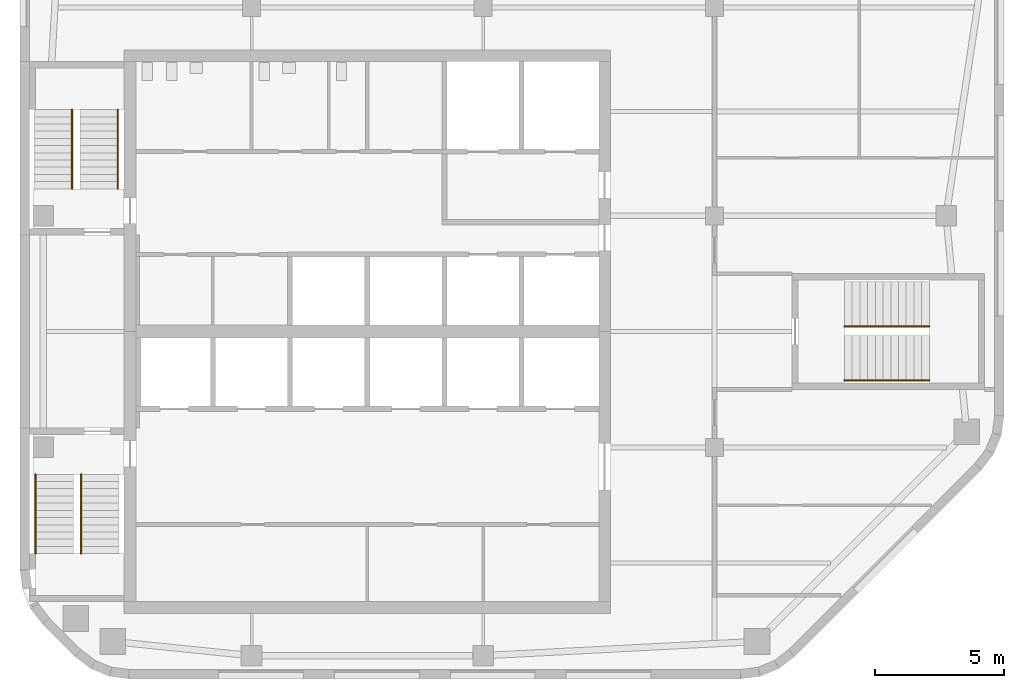
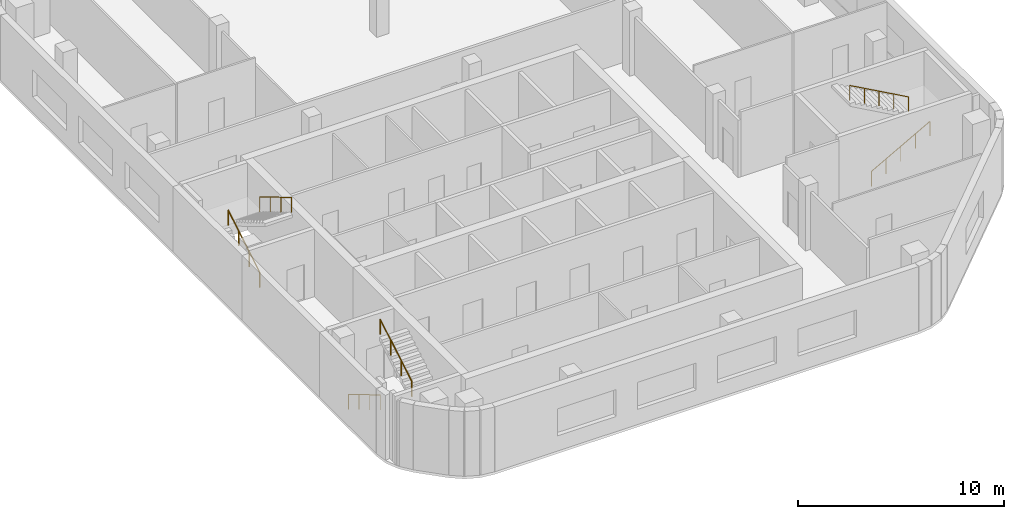
# One storey, part 6 of 7: 6 railings, 3 elements without a shape of their own.
"""IFC4 building model written with IfcOpenShell, lengths in metres."""

from ifc_helpers import new_model, si_unit, direction, frame, origin, origin_2d, place, context, subcontext, project, spatial, circle, extrude, material, type_object, element, aggregate, save


model = new_model("IFC4")

# Units and contexts
model_context = context("Model", 3, precision=1e-05, world=origin(), true_north=direction((0.0, 1.0)))
body_context = subcontext(model_context, "Body", "Model", "MODEL_VIEW")
ifc_project = project(units=[si_unit("LENGTHUNIT", "METRE"), si_unit("AREAUNIT", "SQUARE_METRE"), si_unit("VOLUMEUNIT", "CUBIC_METRE"), si_unit("PLANEANGLEUNIT", "RADIAN"), si_unit("MASSUNIT", "GRAM", prefix="KILO")], contexts=[model_context])

# Site, building, storey
site_placement = place(None, origin())
site = spatial("IfcSite", under=ifc_project, at=site_placement, CompositionType="ELEMENT")
building_placement = place(site_placement, origin())
building = spatial("IfcBuilding", under=site, at=building_placement, Name="Cinnabar Reach Civic Tower", CompositionType="ELEMENT")
storey_placement = place(building_placement, frame((0.0, 0.0, 275.0)))
storey = spatial("IfcBuildingStorey", under=building, at=storey_placement, Name="L66", CompositionType="ELEMENT", Elevation=275.0)

# Stair, railings
ifc_material_1 = material(Name="Concrete C40/50", Category="concrete")
stair_type = type_object("IfcStairType", Name="T1 Exit stair, half-turn", PredefinedType="HALF_TURN_STAIR", material=ifc_material_1)
stair_1_placement = place(storey_placement, origin())
stair_1 = element("IfcStair", 1, at=stair_1_placement, inside=storey, type_object=stair_type, Name="Stair T1-S1", PredefinedType="HALF_TURN_STAIR")
ifc_material_2 = material(Name="Stainless steel tube", Category="steel")
railing_type = type_object("IfcRailingType", Name="T1 Stair handrail, stainless tube 48", PredefinedType="HANDRAIL", material=ifc_material_2)
railing_1_placement = place(storey_placement, frame((0.6, 25.95, 0.1667)))
railing_1 = element("IfcRailing", 2, at=railing_1_placement, type_object=railing_type, Name="T1-S1 handrail 1", PredefinedType="HANDRAIL", context=body_context, shape_type="SweptSolid", body=[
    extrude(circle(Radius=0.024, at=origin_2d()), frame((0.0, 0.0, 0.876), z_axis=(0.0, -0.859296971757, 0.511476992962), x_axis=(1.0, 0.0, 0.0)), (0.0, 0.0, 1.0), 3.5843),
    extrude(circle(Radius=0.021, at=origin_2d()), origin(), (0.0, 0.0, 1.0), 0.852),
    extrude(circle(Radius=0.021, at=origin_2d()), frame((0.0, -1.0267, 0.6111)), (0.0, 0.0, 1.0), 0.852),
    extrude(circle(Radius=0.021, at=origin_2d()), frame((0.0, -2.0533, 1.2222)), (0.0, 0.0, 1.0), 0.852),
    extrude(circle(Radius=0.021, at=origin_2d()), frame((0.0, -3.08, 1.8333)), (0.0, 0.0, 1.0), 0.852),
])
railing_2_placement = place(storey_placement, frame((2.375, 22.87, 2.1667)))
railing_2 = element("IfcRailing", 3, at=railing_2_placement, type_object=railing_type, Name="T1-S1 handrail 2", PredefinedType="HANDRAIL", context=body_context, shape_type="SweptSolid", body=[
    extrude(circle(Radius=0.024, at=origin_2d()), frame((0.0, 0.0, 0.876), z_axis=(0.0, 0.859296971757, 0.511476992962), x_axis=(-1.0, 0.0, 0.0)), (0.0, 0.0, 1.0), 3.5843),
    extrude(circle(Radius=0.021, at=origin_2d()), origin(), (0.0, 0.0, 1.0), 0.852),
    extrude(circle(Radius=0.021, at=origin_2d()), frame((0.0, 1.0267, 0.6111)), (0.0, 0.0, 1.0), 0.852),
    extrude(circle(Radius=0.021, at=origin_2d()), frame((0.0, 2.0533, 1.2222)), (0.0, 0.0, 1.0), 0.852),
    extrude(circle(Radius=0.021, at=origin_2d()), frame((0.0, 3.08, 1.8333)), (0.0, 0.0, 1.0), 0.852),
])
aggregate(stair_1, [railing_1, railing_2])

stair_2_placement = place(storey_placement, origin())
stair_2 = element("IfcStair", 4, at=stair_2_placement, inside=storey, type_object=stair_type, Name="Stair T1-S2", PredefinedType="HALF_TURN_STAIR")
railing_3_placement = place(storey_placement, frame((2.025, 37.05, 0.1667)))
railing_3 = element("IfcRailing", 5, at=railing_3_placement, type_object=railing_type, Name="T1-S2 handrail 1", PredefinedType="HANDRAIL", context=body_context, shape_type="SweptSolid", body=[
    extrude(circle(Radius=0.024, at=origin_2d()), frame((0.0, 0.0, 0.876), z_axis=(0.0, 0.859296971757, 0.511476992962), x_axis=(-1.0, 0.0, 0.0)), (0.0, 0.0, 1.0), 3.5843),
    extrude(circle(Radius=0.021, at=origin_2d()), origin(), (0.0, 0.0, 1.0), 0.852),
    extrude(circle(Radius=0.021, at=origin_2d()), frame((0.0, 1.0267, 0.6111)), (0.0, 0.0, 1.0), 0.852),
    extrude(circle(Radius=0.021, at=origin_2d()), frame((0.0, 2.0533, 1.2222)), (0.0, 0.0, 1.0), 0.852),
    extrude(circle(Radius=0.021, at=origin_2d()), frame((0.0, 3.08, 1.8333)), (0.0, 0.0, 1.0), 0.852),
])
railing_4_placement = place(storey_placement, frame((3.8, 40.13, 2.1667)))
railing_4 = element("IfcRailing", 6, at=railing_4_placement, type_object=railing_type, Name="T1-S2 handrail 2", PredefinedType="HANDRAIL", context=body_context, shape_type="SweptSolid", body=[
    extrude(circle(Radius=0.024, at=origin_2d()), frame((0.0, 0.0, 0.876), z_axis=(0.0, -0.859296971757, 0.511476992962), x_axis=(1.0, 0.0, 0.0)), (0.0, 0.0, 1.0), 3.5843),
    extrude(circle(Radius=0.021, at=origin_2d()), origin(), (0.0, 0.0, 1.0), 0.852),
    extrude(circle(Radius=0.021, at=origin_2d()), frame((0.0, -1.0267, 0.6111)), (0.0, 0.0, 1.0), 0.852),
    extrude(circle(Radius=0.021, at=origin_2d()), frame((0.0, -2.0533, 1.2222)), (0.0, 0.0, 1.0), 0.852),
    extrude(circle(Radius=0.021, at=origin_2d()), frame((0.0, -3.08, 1.8333)), (0.0, 0.0, 1.0), 0.852),
])
aggregate(stair_2, [railing_3, railing_4])

stair_3_placement = place(storey_placement, origin())
stair_3 = element("IfcStair", 7, at=stair_3_placement, inside=storey, type_object=stair_type, Name="Stair T1-S3", PredefinedType="HALF_TURN_STAIR")
railing_5_placement = place(storey_placement, frame((32.05, 29.6, 0.1667)))
railing_5 = element("IfcRailing", 8, at=railing_5_placement, type_object=railing_type, Name="T1-S3 handrail 1", PredefinedType="HANDRAIL", context=body_context, shape_type="SweptSolid", body=[
    extrude(circle(Radius=0.024, at=origin_2d()), frame((0.0, 0.0, 0.876), z_axis=(0.874161024642, 0.0, 0.485636183781), x_axis=(0.0, 1.0, 0.0)), (0.0, 0.0, 1.0), 3.775),
    extrude(circle(Radius=0.021, at=origin_2d()), origin(), (0.0, 0.0, 1.0), 0.852),
    extrude(circle(Radius=0.021, at=origin_2d()), frame((0.825, 0.0, 0.4583)), (0.0, 0.0, 1.0), 0.852),
    extrude(circle(Radius=0.021, at=origin_2d()), frame((1.65, 0.0, 0.9167)), (0.0, 0.0, 1.0), 0.852),
    extrude(circle(Radius=0.021, at=origin_2d()), frame((2.475, 0.0, 1.375)), (0.0, 0.0, 1.0), 0.852),
    extrude(circle(Radius=0.021, at=origin_2d()), frame((3.3, 0.0, 1.8333)), (0.0, 0.0, 1.0), 0.852),
])
railing_6_placement = place(storey_placement, frame((35.35, 31.7, 2.1667)))
railing_6 = element("IfcRailing", 9, at=railing_6_placement, type_object=railing_type, Name="T1-S3 handrail 2", PredefinedType="HANDRAIL", context=body_context, shape_type="SweptSolid", body=[
    extrude(circle(Radius=0.024, at=origin_2d()), frame((0.0, 0.0, 0.876), z_axis=(-0.874161024642, 0.0, 0.485636183781), x_axis=(0.0, -1.0, 0.0)), (0.0, 0.0, 1.0), 3.775),
    extrude(circle(Radius=0.021, at=origin_2d()), origin(), (0.0, 0.0, 1.0), 0.852),
    extrude(circle(Radius=0.021, at=origin_2d()), frame((-0.825, 0.0, 0.4583)), (0.0, 0.0, 1.0), 0.852),
    extrude(circle(Radius=0.021, at=origin_2d()), frame((-1.65, 0.0, 0.9167)), (0.0, 0.0, 1.0), 0.852),
    extrude(circle(Radius=0.021, at=origin_2d()), frame((-2.475, 0.0, 1.375)), (0.0, 0.0, 1.0), 0.852),
    extrude(circle(Radius=0.021, at=origin_2d()), frame((-3.3, 0.0, 1.8333)), (0.0, 0.0, 1.0), 0.852),
])
aggregate(stair_3, [railing_5, railing_6])

save(model, "model.ifc")
